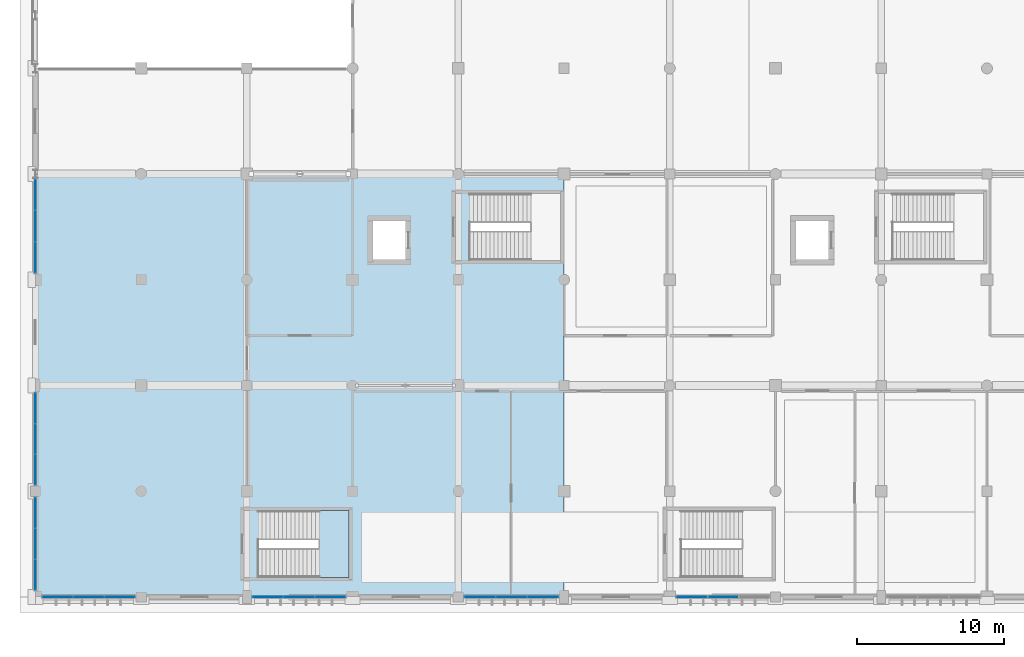
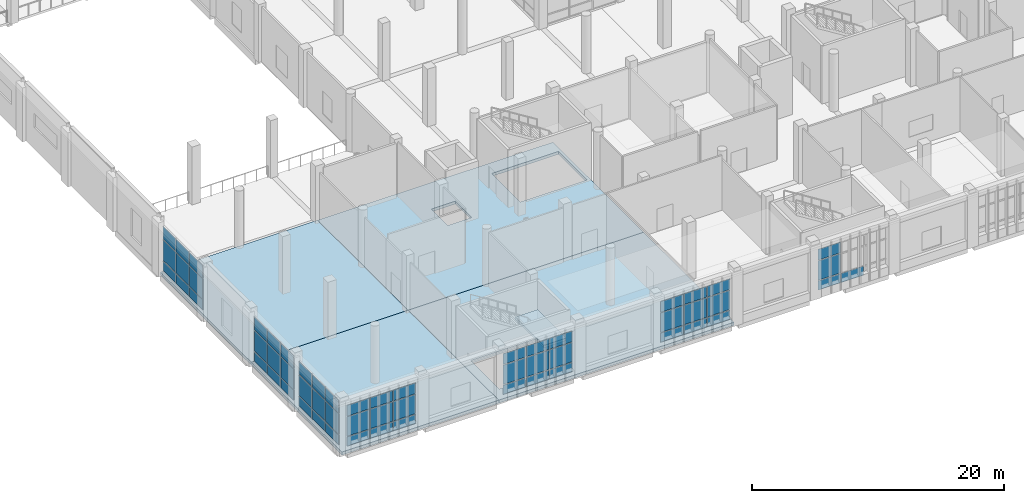
# One storey, part 35 of 80: 58 plates, 5 slabs, 8 elements without a shape of their own.
"""IFC4 building model written with IfcOpenShell, lengths in metres."""

from ifc_helpers import new_model, si_unit, direction, frame, origin, origin_2d, place, context, subcontext, project, spatial, polyline, rectangle, outline, extrude, material, layer, layer_set, type_object, element, aggregate, save


model = new_model("IFC4")

# Units and contexts
model_context = context("Model", 3, precision=1e-05, world=origin(), true_north=direction((0.0, 1.0)))
body_context = subcontext(model_context, "Body", "Model", "MODEL_VIEW")
ifc_project = project(units=[si_unit("LENGTHUNIT", "METRE"), si_unit("AREAUNIT", "SQUARE_METRE"), si_unit("VOLUMEUNIT", "CUBIC_METRE"), si_unit("PLANEANGLEUNIT", "RADIAN"), si_unit("MASSUNIT", "GRAM", prefix="KILO")], contexts=[model_context])

# Site, building, storey
site_placement = place(None, origin())
site = spatial("IfcSite", under=ifc_project, at=site_placement, CompositionType="ELEMENT")
building_placement = place(site_placement, origin())
building = spatial("IfcBuilding", under=site, at=building_placement, Name="Sardonyx Promenade Sports Hall", CompositionType="ELEMENT")
storey_placement = place(building_placement, frame((0.0, 0.0, 5.60009765625)))
storey = spatial("IfcBuildingStorey", under=building, at=storey_placement, Name="L01", CompositionType="ELEMENT", Elevation=5.60009765625)

# Curtain wall, plates
ifc_material_1 = material(Name="Aluminium 6063-T6", Category="aluminium")
curtain_wall_type_1 = type_object("IfcCurtainWallType", Name="CW_South_L01_640", PredefinedType="USERDEFINED", material=ifc_material_1)
curtain_wall_1_placement = place(storey_placement, origin())
curtain_wall_1 = element("IfcCurtainWall", 1, at=curtain_wall_1_placement, inside=storey, type_object=curtain_wall_type_1, Name="Curtain wall CW08 cw:L01:025", ObjectType="CURTAIN WALL", PredefinedType="USERDEFINED")
ifc_material_2 = material(Name="Double-glazed solar low-E IGU 28 mm", Category="glass")
ifc_layer_1 = layer(ifc_material_2, 0.028076171875)
ifc_layer_set_1 = layer_set([ifc_layer_1], Name="CW_Pan_Glz_28")
plate_type_1 = type_object("IfcPlateType", Name="CW_Pan_Glz_28", PredefinedType="CURTAIN_PANEL", material=ifc_layer_set_1)
plate_1_placement = place(storey_placement, frame((46.824951171875, 0.0, 0.419921875), z_axis=(0.0, 0.0, 1.0), x_axis=(-1.0, 0.0, 0.0)))
plate_1 = element("IfcPlate", 2, at=plate_1_placement, type_object=plate_type_1, Name="Curtain panel CP01 cw:L01:025 #4", PredefinedType="CURTAIN_PANEL", context=body_context, shape_type="SweptSolid", body=[
    extrude(rectangle(XDim=2.043212890625, YDim=0.028076171875, at=origin_2d()), origin(), (0.0, 0.0, 1.0), 0.89501953125),
])
plate_2_placement = place(storey_placement, frame((44.711669921875, 0.0, 0.419921875), z_axis=(0.0, 0.0, 1.0), x_axis=(-1.0, 0.0, 0.0)))
plate_2 = element("IfcPlate", 3, at=plate_2_placement, type_object=plate_type_1, Name="Curtain panel CP01 cw:L01:025 #7", PredefinedType="CURTAIN_PANEL", context=body_context, shape_type="SweptSolid", body=[
    extrude(rectangle(XDim=2.043212890625, YDim=0.028076171875, at=origin_2d()), origin(), (0.0, 0.0, 1.0), 0.89501953125),
])
plate_3_placement = place(storey_placement, frame((44.711669921875, 0.0, 1.385009765625), z_axis=(0.0, 0.0, 1.0), x_axis=(-1.0, 0.0, 0.0)))
plate_3 = element("IfcPlate", 4, at=plate_3_placement, type_object=plate_type_1, Name="Curtain panel CP01 cw:L01:025 #8", PredefinedType="CURTAIN_PANEL", context=body_context, shape_type="SweptSolid", body=[
    extrude(rectangle(XDim=2.043212890625, YDim=0.028076171875, at=origin_2d()), origin(), (0.0, 0.0, 1.0), 1.8798828125),
])
plate_4_placement = place(storey_placement, frame((44.711669921875, 0.0, 3.3349609375), z_axis=(0.0, 0.0, 1.0), x_axis=(-1.0, 0.0, 0.0)))
plate_4 = element("IfcPlate", 5, at=plate_4_placement, type_object=plate_type_1, Name="Curtain panel CP01 cw:L01:025 #9", PredefinedType="CURTAIN_PANEL", context=body_context, shape_type="SweptSolid", body=[
    extrude(rectangle(XDim=2.043212890625, YDim=0.028076171875, at=origin_2d()), origin(), (0.0, 0.0, 1.0), 1.044921875),
])
aggregate(curtain_wall_1, [plate_1, plate_2, plate_3, plate_4])

curtain_wall_2_placement = place(storey_placement, origin())
curtain_wall_2 = element("IfcCurtainWall", 6, at=curtain_wall_2_placement, inside=storey, type_object=curtain_wall_type_1, Name="Curtain wall CW08 cw:L01:026", ObjectType="CURTAIN WALL", PredefinedType="USERDEFINED")
plate_5_placement = place(storey_placement, frame((34.57177734375, 0.0, 0.419921875), z_axis=(0.0, 0.0, 1.0), x_axis=(-1.0, 0.0, 0.0)))
plate_5 = element("IfcPlate", 7, at=plate_5_placement, type_object=plate_type_1, Name="Curtain panel CP01 cw:L01:026 #1", PredefinedType="CURTAIN_PANEL", context=body_context, shape_type="SweptSolid", body=[
    extrude(rectangle(XDim=2.07666015625, YDim=0.028076171875, at=origin_2d()), origin(), (0.0, 0.0, 1.0), 0.89501953125),
])
plate_6_placement = place(storey_placement, frame((34.57177734375, 0.0, 1.385009765625), z_axis=(0.0, 0.0, 1.0), x_axis=(-1.0, 0.0, 0.0)))
plate_6 = element("IfcPlate", 8, at=plate_6_placement, type_object=plate_type_1, Name="Curtain panel CP01 cw:L01:026 #2", PredefinedType="CURTAIN_PANEL", context=body_context, shape_type="SweptSolid", body=[
    extrude(rectangle(XDim=2.07666015625, YDim=0.028076171875, at=origin_2d()), origin(), (0.0, 0.0, 1.0), 1.8798828125),
])
plate_7_placement = place(storey_placement, frame((34.57177734375, 0.0, 3.3349609375), z_axis=(0.0, 0.0, 1.0), x_axis=(-1.0, 0.0, 0.0)))
plate_7 = element("IfcPlate", 9, at=plate_7_placement, type_object=plate_type_1, Name="Curtain panel CP01 cw:L01:026 #3", PredefinedType="CURTAIN_PANEL", context=body_context, shape_type="SweptSolid", body=[
    extrude(rectangle(XDim=2.07666015625, YDim=0.028076171875, at=origin_2d()), origin(), (0.0, 0.0, 1.0), 1.044921875),
])
plate_8_placement = place(storey_placement, frame((32.425048828125, 0.0, 0.419921875), z_axis=(0.0, 0.0, 1.0), x_axis=(-1.0, 0.0, 0.0)))
plate_8 = element("IfcPlate", 10, at=plate_8_placement, type_object=plate_type_1, Name="Curtain panel CP01 cw:L01:026 #4", PredefinedType="CURTAIN_PANEL", context=body_context, shape_type="SweptSolid", body=[
    extrude(rectangle(XDim=2.07666015625, YDim=0.028076171875, at=origin_2d()), origin(), (0.0, 0.0, 1.0), 0.89501953125),
])
plate_9_placement = place(storey_placement, frame((32.425048828125, 0.0, 1.385009765625), z_axis=(0.0, 0.0, 1.0), x_axis=(-1.0, 0.0, 0.0)))
plate_9 = element("IfcPlate", 11, at=plate_9_placement, type_object=plate_type_1, Name="Curtain panel CP01 cw:L01:026 #5", PredefinedType="CURTAIN_PANEL", context=body_context, shape_type="SweptSolid", body=[
    extrude(rectangle(XDim=2.07666015625, YDim=0.028076171875, at=origin_2d()), origin(), (0.0, 0.0, 1.0), 1.8798828125),
])
plate_10_placement = place(storey_placement, frame((32.425048828125, 0.0, 3.3349609375), z_axis=(0.0, 0.0, 1.0), x_axis=(-1.0, 0.0, 0.0)))
plate_10 = element("IfcPlate", 12, at=plate_10_placement, type_object=plate_type_1, Name="Curtain panel CP01 cw:L01:026 #6", PredefinedType="CURTAIN_PANEL", context=body_context, shape_type="SweptSolid", body=[
    extrude(rectangle(XDim=2.07666015625, YDim=0.028076171875, at=origin_2d()), origin(), (0.0, 0.0, 1.0), 1.044921875),
])
plate_11_placement = place(storey_placement, frame((30.2783203125, 0.0, 0.419921875), z_axis=(0.0, 0.0, 1.0), x_axis=(-1.0, 0.0, 0.0)))
plate_11 = element("IfcPlate", 13, at=plate_11_placement, type_object=plate_type_1, Name="Curtain panel CP01 cw:L01:026 #7", PredefinedType="CURTAIN_PANEL", context=body_context, shape_type="SweptSolid", body=[
    extrude(rectangle(XDim=2.07666015625, YDim=0.028076171875, at=origin_2d()), origin(), (0.0, 0.0, 1.0), 0.89501953125),
])
plate_12_placement = place(storey_placement, frame((30.2783203125, 0.0, 1.385009765625), z_axis=(0.0, 0.0, 1.0), x_axis=(-1.0, 0.0, 0.0)))
plate_12 = element("IfcPlate", 14, at=plate_12_placement, type_object=plate_type_1, Name="Curtain panel CP01 cw:L01:026 #8", PredefinedType="CURTAIN_PANEL", context=body_context, shape_type="SweptSolid", body=[
    extrude(rectangle(XDim=2.07666015625, YDim=0.028076171875, at=origin_2d()), origin(), (0.0, 0.0, 1.0), 1.8798828125),
])
plate_13_placement = place(storey_placement, frame((30.2783203125, 0.0, 3.3349609375), z_axis=(0.0, 0.0, 1.0), x_axis=(-1.0, 0.0, 0.0)))
plate_13 = element("IfcPlate", 15, at=plate_13_placement, type_object=plate_type_1, Name="Curtain panel CP01 cw:L01:026 #9", PredefinedType="CURTAIN_PANEL", context=body_context, shape_type="SweptSolid", body=[
    extrude(rectangle(XDim=2.07666015625, YDim=0.028076171875, at=origin_2d()), origin(), (0.0, 0.0, 1.0), 1.044921875),
])
aggregate(curtain_wall_2, [plate_5, plate_6, plate_7, plate_8, plate_9, plate_10, plate_11, plate_12, plate_13])

curtain_wall_3_placement = place(storey_placement, origin())
curtain_wall_3 = element("IfcCurtainWall", 16, at=curtain_wall_3_placement, inside=storey, type_object=curtain_wall_type_1, Name="Curtain wall CW08 cw:L01:027", ObjectType="CURTAIN WALL", PredefinedType="USERDEFINED")
plate_14_placement = place(storey_placement, frame((20.080078125, 0.0, 0.419921875), z_axis=(0.0, 0.0, 1.0), x_axis=(-1.0, 0.0, 0.0)))
plate_14 = element("IfcPlate", 17, at=plate_14_placement, type_object=plate_type_1, Name="Curtain panel CP01 cw:L01:027 #1", PredefinedType="CURTAIN_PANEL", context=body_context, shape_type="SweptSolid", body=[
    extrude(rectangle(XDim=2.06005859375, YDim=0.028076171875, at=origin_2d()), origin(), (0.0, 0.0, 1.0), 0.89501953125),
])
plate_15_placement = place(storey_placement, frame((20.080078125, 0.0, 1.385009765625), z_axis=(0.0, 0.0, 1.0), x_axis=(-1.0, 0.0, 0.0)))
plate_15 = element("IfcPlate", 18, at=plate_15_placement, type_object=plate_type_1, Name="Curtain panel CP01 cw:L01:027 #2", PredefinedType="CURTAIN_PANEL", context=body_context, shape_type="SweptSolid", body=[
    extrude(rectangle(XDim=2.06005859375, YDim=0.028076171875, at=origin_2d()), origin(), (0.0, 0.0, 1.0), 1.8798828125),
])
plate_16_placement = place(storey_placement, frame((20.080078125, 0.0, 3.3349609375), z_axis=(0.0, 0.0, 1.0), x_axis=(-1.0, 0.0, 0.0)))
plate_16 = element("IfcPlate", 19, at=plate_16_placement, type_object=plate_type_1, Name="Curtain panel CP01 cw:L01:027 #3", PredefinedType="CURTAIN_PANEL", context=body_context, shape_type="SweptSolid", body=[
    extrude(rectangle(XDim=2.06005859375, YDim=0.028076171875, at=origin_2d()), origin(), (0.0, 0.0, 1.0), 1.044921875),
])
plate_17_placement = place(storey_placement, frame((17.949951171875, 0.0, 0.419921875), z_axis=(0.0, 0.0, 1.0), x_axis=(-1.0, 0.0, 0.0)))
plate_17 = element("IfcPlate", 20, at=plate_17_placement, type_object=plate_type_1, Name="Curtain panel CP01 cw:L01:027 #4", PredefinedType="CURTAIN_PANEL", context=body_context, shape_type="SweptSolid", body=[
    extrude(rectangle(XDim=2.06005859375, YDim=0.028076171875, at=origin_2d()), origin(), (0.0, 0.0, 1.0), 0.89501953125),
])
plate_18_placement = place(storey_placement, frame((17.949951171875, 0.0, 1.385009765625), z_axis=(0.0, 0.0, 1.0), x_axis=(-1.0, 0.0, 0.0)))
plate_18 = element("IfcPlate", 21, at=plate_18_placement, type_object=plate_type_1, Name="Curtain panel CP01 cw:L01:027 #5", PredefinedType="CURTAIN_PANEL", context=body_context, shape_type="SweptSolid", body=[
    extrude(rectangle(XDim=2.06005859375, YDim=0.028076171875, at=origin_2d()), origin(), (0.0, 0.0, 1.0), 1.8798828125),
])
plate_19_placement = place(storey_placement, frame((17.949951171875, 0.0, 3.3349609375), z_axis=(0.0, 0.0, 1.0), x_axis=(-1.0, 0.0, 0.0)))
plate_19 = element("IfcPlate", 22, at=plate_19_placement, type_object=plate_type_1, Name="Curtain panel CP01 cw:L01:027 #6", PredefinedType="CURTAIN_PANEL", context=body_context, shape_type="SweptSolid", body=[
    extrude(rectangle(XDim=2.06005859375, YDim=0.028076171875, at=origin_2d()), origin(), (0.0, 0.0, 1.0), 1.044921875),
])
plate_20_placement = place(storey_placement, frame((15.820068359375, 0.0, 0.419921875), z_axis=(0.0, 0.0, 1.0), x_axis=(-1.0, 0.0, 0.0)))
plate_20 = element("IfcPlate", 23, at=plate_20_placement, type_object=plate_type_1, Name="Curtain panel CP01 cw:L01:027 #7", PredefinedType="CURTAIN_PANEL", context=body_context, shape_type="SweptSolid", body=[
    extrude(rectangle(XDim=2.06005859375, YDim=0.028076171875, at=origin_2d()), origin(), (0.0, 0.0, 1.0), 0.89501953125),
])
plate_21_placement = place(storey_placement, frame((15.820068359375, 0.0, 1.385009765625), z_axis=(0.0, 0.0, 1.0), x_axis=(-1.0, 0.0, 0.0)))
plate_21 = element("IfcPlate", 24, at=plate_21_placement, type_object=plate_type_1, Name="Curtain panel CP01 cw:L01:027 #8", PredefinedType="CURTAIN_PANEL", context=body_context, shape_type="SweptSolid", body=[
    extrude(rectangle(XDim=2.06005859375, YDim=0.028076171875, at=origin_2d()), origin(), (0.0, 0.0, 1.0), 1.8798828125),
])
plate_22_placement = place(storey_placement, frame((15.820068359375, 0.0, 3.3349609375), z_axis=(0.0, 0.0, 1.0), x_axis=(-1.0, 0.0, 0.0)))
plate_22 = element("IfcPlate", 25, at=plate_22_placement, type_object=plate_type_1, Name="Curtain panel CP01 cw:L01:027 #9", PredefinedType="CURTAIN_PANEL", context=body_context, shape_type="SweptSolid", body=[
    extrude(rectangle(XDim=2.06005859375, YDim=0.028076171875, at=origin_2d()), origin(), (0.0, 0.0, 1.0), 1.044921875),
])
aggregate(curtain_wall_3, [plate_14, plate_15, plate_16, plate_17, plate_18, plate_19, plate_20, plate_21, plate_22])

curtain_wall_4_placement = place(storey_placement, origin())
curtain_wall_4 = element("IfcCurtainWall", 26, at=curtain_wall_4_placement, inside=storey, type_object=curtain_wall_type_1, Name="Curtain wall CW08 cw:L01:028", ObjectType="CURTAIN WALL", PredefinedType="USERDEFINED")
plate_23_placement = place(storey_placement, frame((5.73828125, 0.0, 0.419921875), z_axis=(0.0, 0.0, 1.0), x_axis=(-1.0, 0.0, 0.0)))
plate_23 = element("IfcPlate", 27, at=plate_23_placement, type_object=plate_type_1, Name="Curtain panel CP01 cw:L01:028 #1", PredefinedType="CURTAIN_PANEL", context=body_context, shape_type="SweptSolid", body=[
    extrude(rectangle(XDim=2.043212890625, YDim=0.028076171875, at=origin_2d()), origin(), (0.0, 0.0, 1.0), 0.89501953125),
])
plate_24_placement = place(storey_placement, frame((5.73828125, 0.0, 1.385009765625), z_axis=(0.0, 0.0, 1.0), x_axis=(-1.0, 0.0, 0.0)))
plate_24 = element("IfcPlate", 28, at=plate_24_placement, type_object=plate_type_1, Name="Curtain panel CP01 cw:L01:028 #2", PredefinedType="CURTAIN_PANEL", context=body_context, shape_type="SweptSolid", body=[
    extrude(rectangle(XDim=2.043212890625, YDim=0.028076171875, at=origin_2d()), origin(), (0.0, 0.0, 1.0), 1.8798828125),
])
plate_25_placement = place(storey_placement, frame((5.73828125, 0.0, 3.3349609375), z_axis=(0.0, 0.0, 1.0), x_axis=(-1.0, 0.0, 0.0)))
plate_25 = element("IfcPlate", 29, at=plate_25_placement, type_object=plate_type_1, Name="Curtain panel CP01 cw:L01:028 #3", PredefinedType="CURTAIN_PANEL", context=body_context, shape_type="SweptSolid", body=[
    extrude(rectangle(XDim=2.043212890625, YDim=0.028076171875, at=origin_2d()), origin(), (0.0, 0.0, 1.0), 1.044921875),
])
plate_26_placement = place(storey_placement, frame((3.625, 0.0, 0.419921875), z_axis=(0.0, 0.0, 1.0), x_axis=(-1.0, 0.0, 0.0)))
plate_26 = element("IfcPlate", 30, at=plate_26_placement, type_object=plate_type_1, Name="Curtain panel CP01 cw:L01:028 #4", PredefinedType="CURTAIN_PANEL", context=body_context, shape_type="SweptSolid", body=[
    extrude(rectangle(XDim=2.043212890625, YDim=0.028076171875, at=origin_2d()), origin(), (0.0, 0.0, 1.0), 0.89501953125),
])
plate_27_placement = place(storey_placement, frame((3.625, 0.0, 1.385009765625), z_axis=(0.0, 0.0, 1.0), x_axis=(-1.0, 0.0, 0.0)))
plate_27 = element("IfcPlate", 31, at=plate_27_placement, type_object=plate_type_1, Name="Curtain panel CP01 cw:L01:028 #5", PredefinedType="CURTAIN_PANEL", context=body_context, shape_type="SweptSolid", body=[
    extrude(rectangle(XDim=2.043212890625, YDim=0.028076171875, at=origin_2d()), origin(), (0.0, 0.0, 1.0), 1.8798828125),
])
plate_28_placement = place(storey_placement, frame((3.625, 0.0, 3.3349609375), z_axis=(0.0, 0.0, 1.0), x_axis=(-1.0, 0.0, 0.0)))
plate_28 = element("IfcPlate", 32, at=plate_28_placement, type_object=plate_type_1, Name="Curtain panel CP01 cw:L01:028 #6", PredefinedType="CURTAIN_PANEL", context=body_context, shape_type="SweptSolid", body=[
    extrude(rectangle(XDim=2.043212890625, YDim=0.028076171875, at=origin_2d()), origin(), (0.0, 0.0, 1.0), 1.044921875),
])
plate_29_placement = place(storey_placement, frame((1.51171875, 0.0, 0.419921875), z_axis=(0.0, 0.0, 1.0), x_axis=(-1.0, 0.0, 0.0)))
plate_29 = element("IfcPlate", 33, at=plate_29_placement, type_object=plate_type_1, Name="Curtain panel CP01 cw:L01:028 #7", PredefinedType="CURTAIN_PANEL", context=body_context, shape_type="SweptSolid", body=[
    extrude(rectangle(XDim=2.043212890625, YDim=0.028076171875, at=origin_2d()), origin(), (0.0, 0.0, 1.0), 0.89501953125),
])
plate_30_placement = place(storey_placement, frame((1.51171875, 0.0, 1.385009765625), z_axis=(0.0, 0.0, 1.0), x_axis=(-1.0, 0.0, 0.0)))
plate_30 = element("IfcPlate", 34, at=plate_30_placement, type_object=plate_type_1, Name="Curtain panel CP01 cw:L01:028 #8", PredefinedType="CURTAIN_PANEL", context=body_context, shape_type="SweptSolid", body=[
    extrude(rectangle(XDim=2.043212890625, YDim=0.028076171875, at=origin_2d()), origin(), (0.0, 0.0, 1.0), 1.8798828125),
])
plate_31_placement = place(storey_placement, frame((1.51171875, 0.0, 3.3349609375), z_axis=(0.0, 0.0, 1.0), x_axis=(-1.0, 0.0, 0.0)))
plate_31 = element("IfcPlate", 35, at=plate_31_placement, type_object=plate_type_1, Name="Curtain panel CP01 cw:L01:028 #9", PredefinedType="CURTAIN_PANEL", context=body_context, shape_type="SweptSolid", body=[
    extrude(rectangle(XDim=2.043212890625, YDim=0.028076171875, at=origin_2d()), origin(), (0.0, 0.0, 1.0), 1.044921875),
])
aggregate(curtain_wall_4, [plate_23, plate_24, plate_25, plate_26, plate_27, plate_28, plate_29, plate_30, plate_31])

ifc_material_3 = material(Name="Aluminium 6063-T6", Category="aluminium")
curtain_wall_type_2 = type_object("IfcCurtainWallType", Name="CW_Climb_North_L01", PredefinedType="USERDEFINED", material=ifc_material_3)
curtain_wall_5_placement = place(storey_placement, origin())
curtain_wall_5 = element("IfcCurtainWall", 36, at=curtain_wall_5_placement, inside=storey, type_object=curtain_wall_type_2, Name="Curtain wall CW19 cw:L01:063", ObjectType="CURTAIN WALL", PredefinedType="USERDEFINED")
ifc_material_4 = material(Name="Laminated safety sports IGU 36 mm", Category="glass")
ifc_layer_2 = layer(ifc_material_4, 0.035888671875)
ifc_layer_set_2 = layer_set([ifc_layer_2], Name="CW_Pan_Glz_36")
plate_type_2 = type_object("IfcPlateType", Name="CW_Pan_Glz_36", PredefinedType="CURTAIN_PANEL", material=ifc_layer_set_2)
plate_32_placement = place(storey_placement, frame((0.0, 1.51171875, 0.419921875), z_axis=(0.0, 0.0, 1.0), x_axis=(0.0, 1.0, 0.0)))
plate_32 = element("IfcPlate", 37, at=plate_32_placement, type_object=plate_type_2, Name="Curtain panel CP03 cw:L01:063 #1", PredefinedType="CURTAIN_PANEL", context=body_context, shape_type="SweptSolid", body=[
    extrude(rectangle(XDim=2.043212890625, YDim=0.035888671875, at=origin_2d()), origin(), (0.0, 0.0, 1.0), 0.945068359375),
])
plate_33_placement = place(storey_placement, frame((0.0, 1.51171875, 1.434814453125), z_axis=(0.0, 0.0, 1.0), x_axis=(0.0, 1.0, 0.0)))
plate_33 = element("IfcPlate", 38, at=plate_33_placement, type_object=plate_type_2, Name="Curtain panel CP03 cw:L01:063 #2", PredefinedType="CURTAIN_PANEL", context=body_context, shape_type="SweptSolid", body=[
    extrude(rectangle(XDim=2.043212890625, YDim=0.035888671875, at=origin_2d()), origin(), (0.0, 0.0, 1.0), 1.97998046875),
])
plate_34_placement = place(storey_placement, frame((0.0, 1.51171875, 3.48486328125), z_axis=(0.0, 0.0, 1.0), x_axis=(0.0, 1.0, 0.0)))
plate_34 = element("IfcPlate", 39, at=plate_34_placement, type_object=plate_type_2, Name="Curtain panel CP03 cw:L01:063 #3", PredefinedType="CURTAIN_PANEL", context=body_context, shape_type="SweptSolid", body=[
    extrude(rectangle(XDim=2.043212890625, YDim=0.035888671875, at=origin_2d()), origin(), (0.0, 0.0, 1.0), 1.2451171875),
])
plate_35_placement = place(storey_placement, frame((0.0, 3.625, 0.419921875), z_axis=(0.0, 0.0, 1.0), x_axis=(0.0, 1.0, 0.0)))
plate_35 = element("IfcPlate", 40, at=plate_35_placement, type_object=plate_type_2, Name="Curtain panel CP03 cw:L01:063 #4", PredefinedType="CURTAIN_PANEL", context=body_context, shape_type="SweptSolid", body=[
    extrude(rectangle(XDim=2.043212890625, YDim=0.035888671875, at=origin_2d()), origin(), (0.0, 0.0, 1.0), 0.945068359375),
])
plate_36_placement = place(storey_placement, frame((0.0, 3.625, 1.434814453125), z_axis=(0.0, 0.0, 1.0), x_axis=(0.0, 1.0, 0.0)))
plate_36 = element("IfcPlate", 41, at=plate_36_placement, type_object=plate_type_2, Name="Curtain panel CP03 cw:L01:063 #5", PredefinedType="CURTAIN_PANEL", context=body_context, shape_type="SweptSolid", body=[
    extrude(rectangle(XDim=2.043212890625, YDim=0.035888671875, at=origin_2d()), origin(), (0.0, 0.0, 1.0), 1.97998046875),
])
plate_37_placement = place(storey_placement, frame((0.0, 3.625, 3.48486328125), z_axis=(0.0, 0.0, 1.0), x_axis=(0.0, 1.0, 0.0)))
plate_37 = element("IfcPlate", 42, at=plate_37_placement, type_object=plate_type_2, Name="Curtain panel CP03 cw:L01:063 #6", PredefinedType="CURTAIN_PANEL", context=body_context, shape_type="SweptSolid", body=[
    extrude(rectangle(XDim=2.043212890625, YDim=0.035888671875, at=origin_2d()), origin(), (0.0, 0.0, 1.0), 1.2451171875),
])
plate_38_placement = place(storey_placement, frame((0.0, 5.73828125, 0.419921875), z_axis=(0.0, 0.0, 1.0), x_axis=(0.0, 1.0, 0.0)))
plate_38 = element("IfcPlate", 43, at=plate_38_placement, type_object=plate_type_2, Name="Curtain panel CP03 cw:L01:063 #7", PredefinedType="CURTAIN_PANEL", context=body_context, shape_type="SweptSolid", body=[
    extrude(rectangle(XDim=2.043212890625, YDim=0.035888671875, at=origin_2d()), origin(), (0.0, 0.0, 1.0), 0.945068359375),
])
plate_39_placement = place(storey_placement, frame((0.0, 5.73828125, 1.434814453125), z_axis=(0.0, 0.0, 1.0), x_axis=(0.0, 1.0, 0.0)))
plate_39 = element("IfcPlate", 44, at=plate_39_placement, type_object=plate_type_2, Name="Curtain panel CP03 cw:L01:063 #8", PredefinedType="CURTAIN_PANEL", context=body_context, shape_type="SweptSolid", body=[
    extrude(rectangle(XDim=2.043212890625, YDim=0.035888671875, at=origin_2d()), origin(), (0.0, 0.0, 1.0), 1.97998046875),
])
plate_40_placement = place(storey_placement, frame((0.0, 5.73828125, 3.48486328125), z_axis=(0.0, 0.0, 1.0), x_axis=(0.0, 1.0, 0.0)))
plate_40 = element("IfcPlate", 45, at=plate_40_placement, type_object=plate_type_2, Name="Curtain panel CP03 cw:L01:063 #9", PredefinedType="CURTAIN_PANEL", context=body_context, shape_type="SweptSolid", body=[
    extrude(rectangle(XDim=2.043212890625, YDim=0.035888671875, at=origin_2d()), origin(), (0.0, 0.0, 1.0), 1.2451171875),
])
aggregate(curtain_wall_5, [plate_32, plate_33, plate_34, plate_35, plate_36, plate_37, plate_38, plate_39, plate_40])

curtain_wall_6_placement = place(storey_placement, origin())
curtain_wall_6 = element("IfcCurtainWall", 46, at=curtain_wall_6_placement, inside=storey, type_object=curtain_wall_type_2, Name="Curtain wall CW19 cw:L01:064", ObjectType="CURTAIN WALL", PredefinedType="USERDEFINED")
plate_41_placement = place(storey_placement, frame((0.0, 8.6533203125, 0.419921875), z_axis=(0.0, 0.0, 1.0), x_axis=(0.0, 1.0, 0.0)))
plate_41 = element("IfcPlate", 47, at=plate_41_placement, type_object=plate_type_2, Name="Curtain panel CP03 cw:L01:064 #1", PredefinedType="CURTAIN_PANEL", context=body_context, shape_type="SweptSolid", body=[
    extrude(rectangle(XDim=2.026611328125, YDim=0.035888671875, at=origin_2d()), origin(), (0.0, 0.0, 1.0), 0.945068359375),
])
plate_42_placement = place(storey_placement, frame((0.0, 8.6533203125, 1.434814453125), z_axis=(0.0, 0.0, 1.0), x_axis=(0.0, 1.0, 0.0)))
plate_42 = element("IfcPlate", 48, at=plate_42_placement, type_object=plate_type_2, Name="Curtain panel CP03 cw:L01:064 #2", PredefinedType="CURTAIN_PANEL", context=body_context, shape_type="SweptSolid", body=[
    extrude(rectangle(XDim=2.026611328125, YDim=0.035888671875, at=origin_2d()), origin(), (0.0, 0.0, 1.0), 1.97998046875),
])
plate_43_placement = place(storey_placement, frame((0.0, 8.6533203125, 3.48486328125), z_axis=(0.0, 0.0, 1.0), x_axis=(0.0, 1.0, 0.0)))
plate_43 = element("IfcPlate", 49, at=plate_43_placement, type_object=plate_type_2, Name="Curtain panel CP03 cw:L01:064 #3", PredefinedType="CURTAIN_PANEL", context=body_context, shape_type="SweptSolid", body=[
    extrude(rectangle(XDim=2.026611328125, YDim=0.035888671875, at=origin_2d()), origin(), (0.0, 0.0, 1.0), 1.2451171875),
])
plate_44_placement = place(storey_placement, frame((0.0, 10.75, 0.419921875), z_axis=(0.0, 0.0, 1.0), x_axis=(0.0, 1.0, 0.0)))
plate_44 = element("IfcPlate", 50, at=plate_44_placement, type_object=plate_type_2, Name="Curtain panel CP03 cw:L01:064 #4", PredefinedType="CURTAIN_PANEL", context=body_context, shape_type="SweptSolid", body=[
    extrude(rectangle(XDim=2.026611328125, YDim=0.035888671875, at=origin_2d()), origin(), (0.0, 0.0, 1.0), 0.945068359375),
])
plate_45_placement = place(storey_placement, frame((0.0, 10.75, 1.434814453125), z_axis=(0.0, 0.0, 1.0), x_axis=(0.0, 1.0, 0.0)))
plate_45 = element("IfcPlate", 51, at=plate_45_placement, type_object=plate_type_2, Name="Curtain panel CP03 cw:L01:064 #5", PredefinedType="CURTAIN_PANEL", context=body_context, shape_type="SweptSolid", body=[
    extrude(rectangle(XDim=2.026611328125, YDim=0.035888671875, at=origin_2d()), origin(), (0.0, 0.0, 1.0), 1.97998046875),
])
plate_46_placement = place(storey_placement, frame((0.0, 10.75, 3.48486328125), z_axis=(0.0, 0.0, 1.0), x_axis=(0.0, 1.0, 0.0)))
plate_46 = element("IfcPlate", 52, at=plate_46_placement, type_object=plate_type_2, Name="Curtain panel CP03 cw:L01:064 #6", PredefinedType="CURTAIN_PANEL", context=body_context, shape_type="SweptSolid", body=[
    extrude(rectangle(XDim=2.026611328125, YDim=0.035888671875, at=origin_2d()), origin(), (0.0, 0.0, 1.0), 1.2451171875),
])
plate_47_placement = place(storey_placement, frame((0.0, 12.8466796875, 0.419921875), z_axis=(0.0, 0.0, 1.0), x_axis=(0.0, 1.0, 0.0)))
plate_47 = element("IfcPlate", 53, at=plate_47_placement, type_object=plate_type_2, Name="Curtain panel CP03 cw:L01:064 #7", PredefinedType="CURTAIN_PANEL", context=body_context, shape_type="SweptSolid", body=[
    extrude(rectangle(XDim=2.026611328125, YDim=0.035888671875, at=origin_2d()), origin(), (0.0, 0.0, 1.0), 0.945068359375),
])
plate_48_placement = place(storey_placement, frame((0.0, 12.8466796875, 1.434814453125), z_axis=(0.0, 0.0, 1.0), x_axis=(0.0, 1.0, 0.0)))
plate_48 = element("IfcPlate", 54, at=plate_48_placement, type_object=plate_type_2, Name="Curtain panel CP03 cw:L01:064 #8", PredefinedType="CURTAIN_PANEL", context=body_context, shape_type="SweptSolid", body=[
    extrude(rectangle(XDim=2.026611328125, YDim=0.035888671875, at=origin_2d()), origin(), (0.0, 0.0, 1.0), 1.97998046875),
])
plate_49_placement = place(storey_placement, frame((0.0, 12.8466796875, 3.48486328125), z_axis=(0.0, 0.0, 1.0), x_axis=(0.0, 1.0, 0.0)))
plate_49 = element("IfcPlate", 55, at=plate_49_placement, type_object=plate_type_2, Name="Curtain panel CP03 cw:L01:064 #9", PredefinedType="CURTAIN_PANEL", context=body_context, shape_type="SweptSolid", body=[
    extrude(rectangle(XDim=2.026611328125, YDim=0.035888671875, at=origin_2d()), origin(), (0.0, 0.0, 1.0), 1.2451171875),
])
aggregate(curtain_wall_6, [plate_41, plate_42, plate_43, plate_44, plate_45, plate_46, plate_47, plate_48, plate_49])

curtain_wall_7_placement = place(storey_placement, origin())
curtain_wall_7 = element("IfcCurtainWall", 56, at=curtain_wall_7_placement, inside=storey, type_object=curtain_wall_type_2, Name="Curtain wall CW19 cw:L01:065", ObjectType="CURTAIN WALL", PredefinedType="USERDEFINED")
plate_50_placement = place(storey_placement, frame((0.0, 23.120849609375, 0.419921875), z_axis=(0.0, 0.0, 1.0), x_axis=(0.0, 1.0, 0.0)))
plate_50 = element("IfcPlate", 57, at=plate_50_placement, type_object=plate_type_2, Name="Curtain panel CP03 cw:L01:065 #1", PredefinedType="CURTAIN_PANEL", context=body_context, shape_type="SweptSolid", body=[
    extrude(rectangle(XDim=2.061767578125, YDim=0.035888671875, at=origin_2d()), origin(), (0.0, 0.0, 1.0), 0.945068359375),
])
plate_51_placement = place(storey_placement, frame((0.0, 23.120849609375, 1.434814453125), z_axis=(0.0, 0.0, 1.0), x_axis=(0.0, 1.0, 0.0)))
plate_51 = element("IfcPlate", 58, at=plate_51_placement, type_object=plate_type_2, Name="Curtain panel CP03 cw:L01:065 #2", PredefinedType="CURTAIN_PANEL", context=body_context, shape_type="SweptSolid", body=[
    extrude(rectangle(XDim=2.061767578125, YDim=0.035888671875, at=origin_2d()), origin(), (0.0, 0.0, 1.0), 1.97998046875),
])
plate_52_placement = place(storey_placement, frame((0.0, 23.120849609375, 3.48486328125), z_axis=(0.0, 0.0, 1.0), x_axis=(0.0, 1.0, 0.0)))
plate_52 = element("IfcPlate", 59, at=plate_52_placement, type_object=plate_type_2, Name="Curtain panel CP03 cw:L01:065 #3", PredefinedType="CURTAIN_PANEL", context=body_context, shape_type="SweptSolid", body=[
    extrude(rectangle(XDim=2.061767578125, YDim=0.035888671875, at=origin_2d()), origin(), (0.0, 0.0, 1.0), 1.2451171875),
])
plate_53_placement = place(storey_placement, frame((0.0, 25.25244140625, 0.419921875), z_axis=(0.0, 0.0, 1.0), x_axis=(0.0, 1.0, 0.0)))
plate_53 = element("IfcPlate", 60, at=plate_53_placement, type_object=plate_type_2, Name="Curtain panel CP03 cw:L01:065 #4", PredefinedType="CURTAIN_PANEL", context=body_context, shape_type="SweptSolid", body=[
    extrude(rectangle(XDim=2.061767578125, YDim=0.035888671875, at=origin_2d()), origin(), (0.0, 0.0, 1.0), 0.945068359375),
])
plate_54_placement = place(storey_placement, frame((0.0, 25.25244140625, 1.434814453125), z_axis=(0.0, 0.0, 1.0), x_axis=(0.0, 1.0, 0.0)))
plate_54 = element("IfcPlate", 61, at=plate_54_placement, type_object=plate_type_2, Name="Curtain panel CP03 cw:L01:065 #5", PredefinedType="CURTAIN_PANEL", context=body_context, shape_type="SweptSolid", body=[
    extrude(rectangle(XDim=2.061767578125, YDim=0.035888671875, at=origin_2d()), origin(), (0.0, 0.0, 1.0), 1.97998046875),
])
plate_55_placement = place(storey_placement, frame((0.0, 25.25244140625, 3.48486328125), z_axis=(0.0, 0.0, 1.0), x_axis=(0.0, 1.0, 0.0)))
plate_55 = element("IfcPlate", 62, at=plate_55_placement, type_object=plate_type_2, Name="Curtain panel CP03 cw:L01:065 #6", PredefinedType="CURTAIN_PANEL", context=body_context, shape_type="SweptSolid", body=[
    extrude(rectangle(XDim=2.061767578125, YDim=0.035888671875, at=origin_2d()), origin(), (0.0, 0.0, 1.0), 1.2451171875),
])
plate_56_placement = place(storey_placement, frame((0.0, 27.38427734375, 0.419921875), z_axis=(0.0, 0.0, 1.0), x_axis=(0.0, 1.0, 0.0)))
plate_56 = element("IfcPlate", 63, at=plate_56_placement, type_object=plate_type_2, Name="Curtain panel CP03 cw:L01:065 #7", PredefinedType="CURTAIN_PANEL", context=body_context, shape_type="SweptSolid", body=[
    extrude(rectangle(XDim=2.061767578125, YDim=0.035888671875, at=origin_2d()), origin(), (0.0, 0.0, 1.0), 0.945068359375),
])
plate_57_placement = place(storey_placement, frame((0.0, 27.38427734375, 1.434814453125), z_axis=(0.0, 0.0, 1.0), x_axis=(0.0, 1.0, 0.0)))
plate_57 = element("IfcPlate", 64, at=plate_57_placement, type_object=plate_type_2, Name="Curtain panel CP03 cw:L01:065 #8", PredefinedType="CURTAIN_PANEL", context=body_context, shape_type="SweptSolid", body=[
    extrude(rectangle(XDim=2.061767578125, YDim=0.035888671875, at=origin_2d()), origin(), (0.0, 0.0, 1.0), 1.97998046875),
])
plate_58_placement = place(storey_placement, frame((0.0, 27.38427734375, 3.48486328125), z_axis=(0.0, 0.0, 1.0), x_axis=(0.0, 1.0, 0.0)))
plate_58 = element("IfcPlate", 65, at=plate_58_placement, type_object=plate_type_2, Name="Curtain panel CP03 cw:L01:065 #9", PredefinedType="CURTAIN_PANEL", context=body_context, shape_type="SweptSolid", body=[
    extrude(rectangle(XDim=2.061767578125, YDim=0.035888671875, at=origin_2d()), origin(), (0.0, 0.0, 1.0), 1.2451171875),
])
aggregate(curtain_wall_7, [plate_50, plate_51, plate_52, plate_53, plate_54, plate_55, plate_56, plate_57, plate_58])

# Stair, slab
ifc_material_5 = material(Name="Concrete C40/50", Category="concrete")
stair_type = type_object("IfcStairType", Name="Stair_Esc_Std_560", PredefinedType="HALF_TURN_STAIR", material=ifc_material_5)
stair_placement = place(storey_placement, origin())
stair = element("IfcStair", 66, at=stair_placement, inside=storey, type_object=stair_type, Name="Protected escape stair ST5 (L01 to L02)", PredefinedType="HALF_TURN_STAIR")
ifc_material_6 = material(Name="Concrete C40/50", Category="concrete")
ifc_layer_3 = layer(ifc_material_6, 0.260009765625)
ifc_layer_set_3 = layer_set([ifc_layer_3], Name="Land_Stair_260")
slab_type_1 = type_object("IfcSlabType", Name="Land_Stair_260", PredefinedType="LANDING", material=ifc_layer_set_3)
slab_1_placement = place(storey_placement, frame((0.0, 0.0, 2.539794921875)))
slab_1 = element("IfcSlab", 67, at=slab_1_placement, type_object=slab_type_1, Name="Stair half-landing ST5 L01", PredefinedType="LANDING", context=body_context, shape_type="SweptSolid", body=[
    extrude(outline(polyline([(19.2900390625, 1.324951171875), (21.35009765625, 1.324951171875), (21.35009765625, 5.875), (19.2900390625, 5.875), (19.2900390625, 1.324951171875)])), origin(), (0.0, 0.0, 1.0), 0.260009765625),
])
aggregate(stair, [slab_1])

# Slabs
ifc_material_7 = material(Name="Concrete C40/50", Category="concrete")
ifc_layer_4 = layer(ifc_material_7, 0.2900390625)
ifc_layer_set_4 = layer_set([ifc_layer_4], Name="Slab_Ext_Loggia_220")
slab_type_2 = type_object("IfcSlabType", Name="Slab_Ext_Loggia_220", PredefinedType="FLOOR", material=ifc_layer_set_4)
slab_2_placement = place(storey_placement, frame((0.0, 0.0, -0.2900390625)))
element("IfcSlab", 68, at=slab_2_placement, inside=storey, type_object=slab_type_2, Name="Slab TS03 L01 #147", PredefinedType="FLOOR", context=body_context, shape_type="SweptSolid", body=[
    extrude(outline(polyline([(0.0, 0.0), (14.39990234375, 0.0), (14.39990234375, 14.39990234375), (0.0, 14.39990234375), (0.0, 0.0)])), origin(), (0.0, 0.0, 1.0), 0.2900390625),
])
slab_3_placement = place(storey_placement, frame((0.0, 0.0, -0.2900390625)))
element("IfcSlab", 69, at=slab_3_placement, inside=storey, type_object=slab_type_2, Name="Slab TS03 L01 #148", PredefinedType="FLOOR", context=body_context, shape_type="SweptSolid", body=[
    extrude(outline(polyline([(0.0, 14.39990234375), (14.39990234375, 14.39990234375), (14.39990234375, 28.800048828125), (0.0, 28.800048828125), (0.0, 14.39990234375)])), origin(), (0.0, 0.0, 1.0), 0.2900390625),
])
ifc_material_8 = material(Name="Concrete C40/50", Category="concrete")
ifc_layer_5 = layer(ifc_material_8, 0.280029296875)
ifc_layer_set_5 = layer_set([ifc_layer_5], Name="Slab_Floor_Clinic_280")
slab_type_3 = type_object("IfcSlabType", Name="Slab_Floor_Clinic_280", PredefinedType="FLOOR", material=ifc_layer_set_5)
slab_4_placement = place(storey_placement, frame((0.0, 0.0, -0.280029296875)))
element("IfcSlab", 70, at=slab_4_placement, inside=storey, type_object=slab_type_3, Name="Slab FS02 L01 #125", PredefinedType="FLOOR", context=body_context, shape_type="SweptSolid", body=[
    extrude(outline(polyline([(14.39990234375, 14.39990234375), (14.39990234375, 0.0), (36.0, 0.0), (36.0, 14.39990234375), (14.39990234375, 14.39990234375)]), holes=[polyline([(15.2099609375, 5.875), (21.35009765625, 5.875), (21.35009765625, 1.324951171875), (15.2099609375, 1.324951171875), (15.2099609375, 5.875)])]), origin(), (0.0, 0.0, 1.0), 0.280029296875),
])
slab_5_placement = place(storey_placement, frame((0.0, 0.0, -0.280029296875)))
element("IfcSlab", 71, at=slab_5_placement, inside=storey, type_object=slab_type_3, Name="Slab FS02 L01 #126", PredefinedType="FLOOR", context=body_context, shape_type="SweptSolid", body=[
    extrude(outline(polyline([(14.39990234375, 28.800048828125), (14.39990234375, 14.39990234375), (36.0, 14.39990234375), (36.0, 28.800048828125), (14.39990234375, 28.800048828125)]), holes=[polyline([(35.75, 27.47509765625), (35.75, 22.925048828125), (29.610107421875, 22.925048828125), (29.610107421875, 27.47509765625), (35.75, 27.47509765625)]), polyline([(25.2099609375, 25.610107421875), (25.2099609375, 22.989990234375), (22.989990234375, 22.989990234375), (22.989990234375, 25.610107421875), (25.2099609375, 25.610107421875)])]), origin(), (0.0, 0.0, 1.0), 0.280029296875),
])

save(model, "model.ifc")
